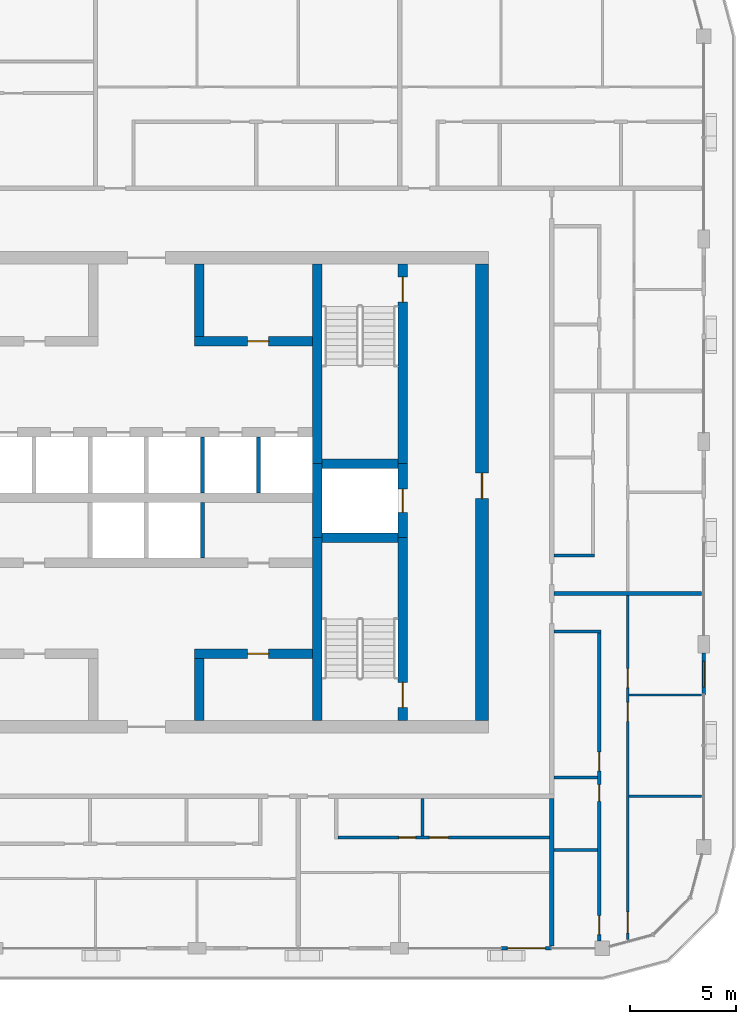
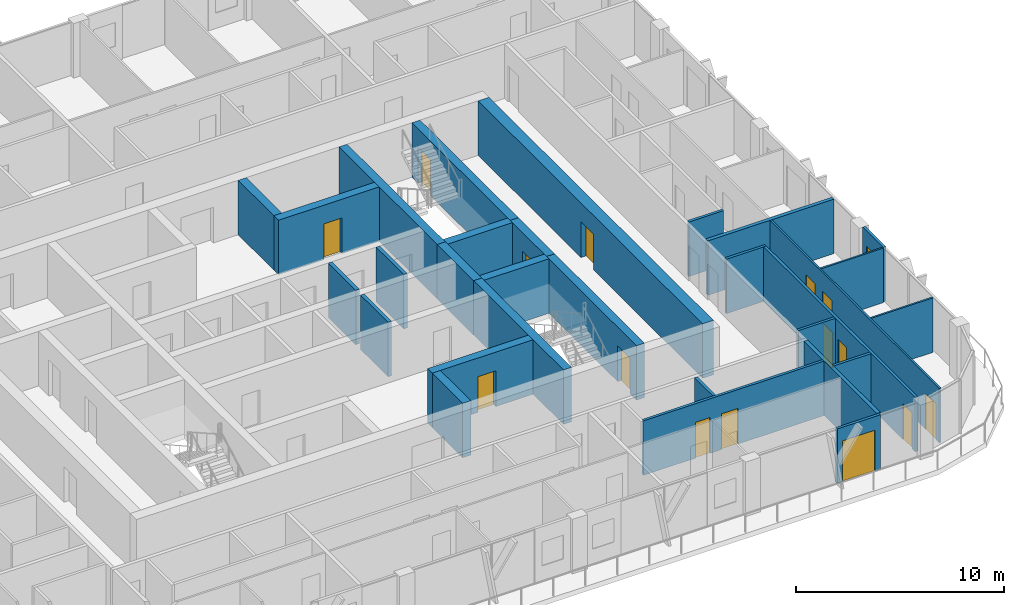
# One storey, part 12 of 21: 30 walls, 15 doors, 1 window, 16 openings.
"""IFC4 building model written with IfcOpenShell, lengths in metres."""

import ifcopenshell
import ifcopenshell.guid

model = None  # the IFC model being written
_history = None  # IfcOwnerHistory: only IFC2X3 demands one
_inside = {}  # id of a spatial element -> (the spatial element, [elements in it])
_under = {}  # id of a project, library or spatial element -> (it, [spatial elements below it])
_declared = {}  # id of a project -> (the project, [libraries it declares])
_typed = {}  # id of a type object -> (the type object, [elements of that type])
_made_of = {}  # id of a material, layer set ... -> (it, [elements and type objects made of it])


def new_model(schema):
    """Start an empty IFC model of exactly this schema.

    Asked for "IFC4X3", IfcOpenShell would pick the latest addendum, in which some entities
    have other attributes; the version numbers below select the first issue.
    IFC2X3 requires an IfcOwnerHistory on every rooted entity: one is made here for all.
    """
    global model, _history
    if schema == "IFC4X3":
        model = ifcopenshell.file(schema_version=(4, 3, 0, 0))
    else:
        model = ifcopenshell.file(schema=schema)
    _inside.clear()
    _under.clear()
    _declared.clear()
    _typed.clear()
    _made_of.clear()
    _history = None
    if model.schema == "IFC2X3":
        org = make("IfcOrganization", Name="unknown")
        user = make(
            "IfcPersonAndOrganization",
            ThePerson=make("IfcPerson", FamilyName="unknown"),
            TheOrganization=org,
        )
        app = make(
            "IfcApplication",
            ApplicationDeveloper=org,
            Version="unknown",
            ApplicationFullName="unknown",
            ApplicationIdentifier="unknown",
        )
        _history = make(
            "IfcOwnerHistory",
            OwningUser=user,
            OwningApplication=app,
            ChangeAction="ADDED",
            CreationDate=0,
        )
    return model


def make(cls, **values):
    """One entity of the class cls with the attributes given. An attribute that is None is left unset."""
    return model.create_entity(
        cls, **{name: value for name, value in values.items() if value is not None}
    )


def rooted(cls, **values):
    """An entity with a GlobalId (a new one), such as an element, a storey or a relation."""
    return make(cls, GlobalId=ifcopenshell.guid.new(), OwnerHistory=_history, **values)


def si_unit(unit_type, name, prefix=None):
    """IfcSIUnit, for example si_unit("LENGTHUNIT", "METRE", prefix="MILLI")."""
    return make("IfcSIUnit", UnitType=unit_type, Prefix=prefix, Name=name)


def assignment(units):
    """IfcUnitAssignment: the units of a project."""
    return None if units is None else make("IfcUnitAssignment", Units=units)


def point(xyz):
    """IfcCartesianPoint."""
    return None if xyz is None else make("IfcCartesianPoint", Coordinates=xyz)


def direction(xyz):
    """IfcDirection."""
    return None if xyz is None else make("IfcDirection", DirectionRatios=xyz)


def frame(location, z_axis=None, x_axis=None):
    """IfcAxis2Placement3D, a coordinate frame: its origin and axes. An axis left out is left unset."""
    return make(
        "IfcAxis2Placement3D",
        Location=point(location),
        Axis=direction(z_axis),
        RefDirection=direction(x_axis),
    )


def frame_2d(location, x_axis=None):
    """IfcAxis2Placement2D, a coordinate frame in the plane: its origin and x axis."""
    return make(
        "IfcAxis2Placement2D", Location=point(location), RefDirection=direction(x_axis)
    )


def origin():
    """The frame at (0, 0, 0) with its axes left unset."""
    return frame((0.0, 0.0, 0.0))


def place(relative_to, where):
    """IfcLocalPlacement: puts the frame where relative to a parent placement (None: the world)."""
    return make(
        "IfcLocalPlacement", PlacementRelTo=relative_to, RelativePlacement=where
    )


def context(
    kind, dimensions, precision=None, world=None, true_north=None, identifier=None
):
    """IfcGeometricRepresentationContext, for example the 3D "Model" context."""
    return make(
        "IfcGeometricRepresentationContext",
        ContextIdentifier=identifier,
        ContextType=kind,
        CoordinateSpaceDimension=dimensions,
        Precision=precision,
        WorldCoordinateSystem=world,
        TrueNorth=true_north,
    )


def subcontext(parent, identifier, kind, view, scale=None):
    """IfcGeometricRepresentationSubContext, for example "Body" below "Model"."""
    return make(
        "IfcGeometricRepresentationSubContext",
        ContextIdentifier=identifier,
        ContextType=kind,
        ParentContext=parent,
        TargetScale=scale,
        TargetView=view,
    )


def project(units=None, contexts=None):
    """IfcProject with its units and contexts."""
    return rooted(
        "IfcProject",
        Name="project",
        RepresentationContexts=contexts,
        UnitsInContext=assignment(units),
    )


def spatial(cls, under=None, at=None, **own):
    """A site, building, storey or space (cls), placed at a placement, below another one or the project."""
    s = rooted(cls, ObjectPlacement=at, **own)
    if under is not None:
        _under.setdefault(under.id(), (under, []))[1].append(s)
    return s


def profile(cls, at=None, kind="AREA", **sizes):
    """A parametric profile (cls). Its sizes go by their IFC names, for example OverallWidth=200.0."""
    return make(cls, ProfileType=kind, Position=at, **sizes)


def rectangle(**sizes):
    """IfcRectangleProfileDef."""
    return profile("IfcRectangleProfileDef", **sizes)


def extrude(swept, where, along, depth):
    """IfcExtrudedAreaSolid: the profile swept, set in the frame where, extruded along a direction by depth."""
    return make(
        "IfcExtrudedAreaSolid",
        SweptArea=swept,
        Position=where,
        ExtrudedDirection=direction(along),
        Depth=depth,
    )


def shape(context_of_items, identifier, shape_type, items):
    """IfcShapeRepresentation: the items that make up one representation, for example the "Body"."""
    return make(
        "IfcShapeRepresentation",
        ContextOfItems=context_of_items,
        RepresentationIdentifier=identifier,
        RepresentationType=shape_type,
        Items=items,
    )


def material(Name=None, Category=None):
    """IfcMaterial."""
    return make("IfcMaterial", Name=Name, Category=Category)


def layer(
    of_material, thickness, ventilated=None, Name=None, Category=None, Priority=None
):
    """IfcMaterialLayer: one layer of a wall or slab, of a material (None: an air gap)."""
    return make(
        "IfcMaterialLayer",
        Material=of_material,
        LayerThickness=thickness,
        IsVentilated=ventilated,
        Name=Name,
        Category=Category,
        Priority=Priority,
    )


def layer_set(layers, Name=None):
    """IfcMaterialLayerSet."""
    return make("IfcMaterialLayerSet", MaterialLayers=layers, LayerSetName=Name)


def made_of(thing, what):
    """Note that an element or type object is made of a material, layer set ...; save() writes the relation."""
    if what is not None:
        _made_of.setdefault(what.id(), (what, []))[1].append(thing)
    return thing


def type_object(cls, material=None, **own):
    """A type object (cls), such as IfcWallType, which elements share."""
    return made_of(rooted(cls, **own), material)


def element(
    cls,
    number,
    at=None,
    inside=None,
    cuts=None,
    type_object=None,
    material=None,
    context=None,
    identifier="Body",
    shape_type=None,
    held_by="IfcProductDefinitionShape",
    body=None,
    shapes=None,
    **own,
):
    """One element of the class cls, such as IfcWall. Its Tag is "e" and its number.

    at: its placement. inside: the storey or other place that contains it. cuts: it is an
    opening in that element (IfcRelVoidsElement). A single representation is given by context,
    identifier, shape_type and body (its items); several are given by shapes. held_by: the class
    of the entity that holds the representations. save() writes the other relations.
    """
    e = rooted(cls, Tag="e%d" % number, ObjectPlacement=at, **own)
    if body is not None:
        shapes = [shape(context, identifier, shape_type, body)]
    if shapes is not None:
        e.Representation = make(held_by, Representations=shapes)
    if inside is not None:
        _inside.setdefault(inside.id(), (inside, []))[1].append(e)
    if cuts is not None:
        rooted(
            "IfcRelVoidsElement", RelatingBuildingElement=cuts, RelatedOpeningElement=e
        )
    if type_object is not None:
        _typed.setdefault(type_object.id(), (type_object, []))[1].append(e)
    return made_of(e, material)


def fill(opening, filler):
    """IfcRelFillsElement: the door or window that sits in an opening."""
    return rooted(
        "IfcRelFillsElement",
        RelatingOpeningElement=opening,
        RelatedBuildingElement=filler,
    )


def aggregate(whole, parts):
    """IfcRelAggregates: a whole, such as a stair, and the parts it consists of."""
    return rooted("IfcRelAggregates", RelatingObject=whole, RelatedObjects=parts)


def save(model, path):
    """Write the relations noted so far, then the file.

    IfcRelAggregates (storeys below a building ...), IfcRelContainedInSpatialStructure (elements
    in a storey), IfcRelDefinesByType, IfcRelAssociatesMaterial and IfcRelDeclares: one each for
    every whole, place, type object, material and project.
    """
    for whole, parts in _under.values():
        aggregate(whole, parts)
    for where, things in _inside.values():
        rooted(
            "IfcRelContainedInSpatialStructure",
            RelatedElements=things,
            RelatingStructure=where,
        )
    for kind, things in _typed.values():
        rooted("IfcRelDefinesByType", RelatedObjects=things, RelatingType=kind)
    for what, things in _made_of.values():
        rooted("IfcRelAssociatesMaterial", RelatedObjects=things, RelatingMaterial=what)
    for by, libraries in _declared.values():
        rooted("IfcRelDeclares", RelatingContext=by, RelatedDefinitions=libraries)
    model.write(path)


model = new_model("IFC4")

# Units and contexts
model_context = context("Model", 3, precision=1e-05, world=origin(), true_north=direction((0.0, 1.0)))
body_context = subcontext(model_context, "Body", "Model", "MODEL_VIEW")
ifc_project = project(units=[si_unit("LENGTHUNIT", "METRE"), si_unit("AREAUNIT", "SQUARE_METRE"), si_unit("VOLUMEUNIT", "CUBIC_METRE"), si_unit("PLANEANGLEUNIT", "RADIAN"), si_unit("MASSUNIT", "GRAM", prefix="KILO")], contexts=[model_context])

# Site, building, storey
site_placement = place(None, origin())
site = spatial("IfcSite", under=ifc_project, at=site_placement, CompositionType="ELEMENT")
building_placement = place(site_placement, origin())
building = spatial("IfcBuilding", under=site, at=building_placement, Name="Madar Terraces", CompositionType="ELEMENT")
storey_placement = place(building_placement, frame((0.0, 0.0, 252.699951171875)))
storey = spatial("IfcBuildingStorey", under=building, at=storey_placement, Name="L66", CompositionType="ELEMENT", Elevation=252.699951171875)

# Walls
ifc_material_1 = material(Name="Concrete C55/67", Category="concrete")
ifc_layer_1 = layer(ifc_material_1, 0.449951171875)
ifc_layer_set_1 = layer_set([ifc_layer_1], Name="Concrete C55/67 (CIW5 RC wall 450)")
wall_type_1 = type_object("IfcWallType", Name="CIW5 RC wall 450", PredefinedType="SHEAR", material=ifc_layer_set_1)
wall_1_placement = place(storey_placement, frame((39.300048828125, 15.60009765625, 0.0), z_axis=(0.0, 0.0, 1.0), x_axis=(0.0, 1.0, 0.0)))
element("IfcWall", 1, at=wall_1_placement, inside=storey, type_object=wall_type_1, Name="CORE SHAFT WALL", PredefinedType="SHEAR", context=body_context, shape_type="SweptSolid", body=[
    extrude(rectangle(XDim=8.64990234375, YDim=0.449951171875, at=frame_2d((4.324951171875, 0.0))), origin(), (0.0, 0.0, 1.0), 3.199951171875),
])
wall_2_placement = place(storey_placement, frame((39.300048828125, 24.25, 0.0), z_axis=(0.0, 0.0, 1.0), x_axis=(0.0, 1.0, 0.0)))
element("IfcWall", 2, at=wall_2_placement, inside=storey, type_object=wall_type_1, Name="CORE SHAFT WALL", PredefinedType="SHEAR", context=body_context, shape_type="SweptSolid", body=[
    extrude(rectangle(XDim=3.5, YDim=0.449951171875, at=frame_2d((1.75, 0.0))), origin(), (0.0, 0.0, 1.0), 3.199951171875),
])
wall_3_placement = place(storey_placement, frame((39.300048828125, 27.75, 0.0), z_axis=(0.0, 0.0, 1.0), x_axis=(0.0, 1.0, 0.0)))
element("IfcWall", 3, at=wall_3_placement, inside=storey, type_object=wall_type_1, Name="CORE SHAFT WALL", PredefinedType="SHEAR", context=body_context, shape_type="SweptSolid", body=[
    extrude(rectangle(XDim=9.449951171875, YDim=0.449951171875, at=frame_2d((4.72509765625, 0.0))), origin(), (0.0, 0.0, 1.0), 3.199951171875),
])

# Wall, opening, door
wall_4_placement = place(storey_placement, frame((43.35009765625, 15.60009765625, 0.0), z_axis=(0.0, 0.0, 1.0), x_axis=(0.0, 1.0, 0.0)))
wall_4 = element("IfcWall", 4, at=wall_4_placement, inside=storey, type_object=wall_type_1, Name="CORE SHAFT WALL", PredefinedType="SHEAR", context=body_context, shape_type="SweptSolid", body=[
    extrude(rectangle(XDim=8.64990234375, YDim=0.449951171875, at=frame_2d((4.324951171875, 0.0))), origin(), (0.0, 0.0, 1.0), 3.199951171875),
])
opening_1_placement = place(wall_4_placement, frame((0.60009765625, 0.0, 0.0)))
opening_1 = element("IfcOpeningElement", 5, at=opening_1_placement, cuts=wall_4, Name="Opening SD1", PredefinedType="OPENING", context=body_context, shape_type="SweptSolid", body=[
    extrude(rectangle(XDim=1.199951171875, YDim=2.10009765625, at=frame_2d((0.60009765625, 1.050048828125))), frame((0.0, 0.23486328125, 0.0), z_axis=(0.0, -1.0, 0.0), x_axis=(1.0, 0.0, 0.0)), (0.0, 0.0, 1.0), 0.469970703125),
])
ifc_material_2 = material(Name="Steel door leaf", Category="steel")
door_type_1 = type_object("IfcDoorType", Name="Stair door 1200 x 2100", OperationType="NOTDEFINED", PredefinedType="DOOR", material=ifc_material_2)
door_1_placement = place(opening_1_placement, origin())
door_1 = element("IfcDoor", 6, at=door_1_placement, inside=storey, type_object=door_type_1, Name="STAIR DOOR", OperationType="SINGLE_SWING_LEFT", OverallHeight=2.10009765625, OverallWidth=1.199951171875, PredefinedType="DOOR", context=body_context, shape_type="SweptSolid", body=[
    extrude(rectangle(XDim=1.199951171875, YDim=2.10009765625, at=frame_2d((0.60009765625, 1.050048828125))), frame((0.0, 0.02490234375, 0.0), z_axis=(0.0, -1.0, 0.0), x_axis=(1.0, 0.0, 0.0)), (0.0, 0.0, 1.0), 0.050048828125),
])
fill(opening_1, door_1)

wall_5_placement = place(storey_placement, frame((43.35009765625, 24.25, 0.0), z_axis=(0.0, 0.0, 1.0), x_axis=(0.0, 1.0, 0.0)))
wall_5 = element("IfcWall", 7, at=wall_5_placement, inside=storey, type_object=wall_type_1, Name="CORE SHAFT WALL", PredefinedType="SHEAR", context=body_context, shape_type="SweptSolid", body=[
    extrude(rectangle(XDim=3.5, YDim=0.449951171875, at=frame_2d((1.75, 0.0))), origin(), (0.0, 0.0, 1.0), 3.199951171875),
])
opening_2_placement = place(wall_5_placement, frame((1.199951171875, 0.0, 0.0)))
opening_2 = element("IfcOpeningElement", 8, at=opening_2_placement, cuts=wall_5, Name="Opening LD", PredefinedType="OPENING", context=body_context, shape_type="SweptSolid", body=[
    extrude(rectangle(XDim=1.10009765625, YDim=2.10009765625, at=frame_2d((0.550048828125, 1.050048828125))), frame((0.0, 0.23486328125, 0.0), z_axis=(0.0, -1.0, 0.0), x_axis=(1.0, 0.0, 0.0)), (0.0, 0.0, 1.0), 0.469970703125),
])
ifc_material_3 = material(Name="Stainless steel panel", Category="steel")
door_type_2 = type_object("IfcDoorType", Name="Lift landing door 1100 x 2100", OperationType="DOUBLE_DOOR_SLIDING", PredefinedType="DOOR", material=ifc_material_3)
door_2_placement = place(opening_2_placement, origin())
door_2 = element("IfcDoor", 9, at=door_2_placement, inside=storey, type_object=door_type_2, Name="LIFT LANDING DOOR", OperationType="DOUBLE_DOOR_SLIDING", OverallHeight=2.10009765625, OverallWidth=1.10009765625, PredefinedType="DOOR", context=body_context, shape_type="SweptSolid", body=[
    extrude(rectangle(XDim=1.10009765625, YDim=2.10009765625, at=frame_2d((0.550048828125, 1.050048828125))), frame((0.0, 0.02490234375, 0.0), z_axis=(0.0, -1.0, 0.0), x_axis=(1.0, 0.0, 0.0)), (0.0, 0.0, 1.0), 0.050048828125),
])
fill(opening_2, door_2)

wall_6_placement = place(storey_placement, frame((43.35009765625, 27.75, 0.0), z_axis=(0.0, 0.0, 1.0), x_axis=(0.0, 1.0, 0.0)))
wall_6 = element("IfcWall", 10, at=wall_6_placement, inside=storey, type_object=wall_type_1, Name="CORE SHAFT WALL", PredefinedType="SHEAR", context=body_context, shape_type="SweptSolid", body=[
    extrude(rectangle(XDim=9.449951171875, YDim=0.449951171875, at=frame_2d((4.72509765625, 0.0))), origin(), (0.0, 0.0, 1.0), 3.199951171875),
])
opening_3_placement = place(wall_6_placement, frame((7.64990234375, 0.0, 0.0)))
opening_3 = element("IfcOpeningElement", 11, at=opening_3_placement, cuts=wall_6, Name="Opening SD1", PredefinedType="OPENING", context=body_context, shape_type="SweptSolid", body=[
    extrude(rectangle(XDim=1.199951171875, YDim=2.10009765625, at=frame_2d((0.60009765625, 1.050048828125))), frame((0.0, 0.23486328125, 0.0), z_axis=(0.0, -1.0, 0.0), x_axis=(1.0, 0.0, 0.0)), (0.0, 0.0, 1.0), 0.469970703125),
])
door_3_placement = place(opening_3_placement, origin())
door_3 = element("IfcDoor", 12, at=door_3_placement, inside=storey, type_object=door_type_1, Name="STAIR DOOR", OperationType="SINGLE_SWING_RIGHT", OverallHeight=2.10009765625, OverallWidth=1.199951171875, PredefinedType="DOOR", context=body_context, shape_type="SweptSolid", body=[
    extrude(rectangle(XDim=1.199951171875, YDim=2.10009765625, at=frame_2d((0.60009765625, 1.050048828125))), frame((0.0, 0.02490234375, 0.0), z_axis=(0.0, -1.0, 0.0), x_axis=(1.0, 0.0, 0.0)), (0.0, 0.0, 1.0), 0.050048828125),
])
fill(opening_3, door_3)

# Walls
for number, where, z_axis, x_axis, name in (
    (13, (39.52490234375, 24.25, 0.0), (0.0, 0.0, 1.0), (1.0, 0.0, 0.0), "CORE SHAFT WALL"),
    (14, (39.52490234375, 27.75, 0.0), (0.0, 0.0, 1.0), (1.0, 0.0, 0.0), "CORE SHAFT WALL"),
):
    element("IfcWall", number, at=place(storey_placement, frame(where, z_axis=z_axis, x_axis=x_axis)), inside=storey, type_object=wall_type_1, Name=name, PredefinedType="SHEAR", context=body_context, shape_type="SweptSolid", body=[
        extrude(rectangle(XDim=3.60009765625, YDim=0.449951171875, at=frame_2d((1.800048828125, 0.0))), origin(), (0.0, 0.0, 1.0), 3.199951171875),
    ])

# Wall, opening, door
wall_7_placement = place(storey_placement, frame((33.47509765625, 18.75, 0.0), z_axis=(0.0, 0.0, 1.0), x_axis=(1.0, 0.0, 0.0)))
wall_7 = element("IfcWall", 15, at=wall_7_placement, inside=storey, type_object=wall_type_1, Name="CORE SHAFT WALL", PredefinedType="SHEAR", context=body_context, shape_type="SweptSolid", body=[
    extrude(rectangle(XDim=5.599853515625, YDim=0.449951171875, at=frame_2d((2.7998046875, 0.0))), origin(), (0.0, 0.0, 1.0), 3.199951171875),
])
opening_4_placement = place(wall_7_placement, frame((2.52490234375, 0.0, 0.0)))
opening_4 = element("IfcOpeningElement", 16, at=opening_4_placement, cuts=wall_7, Name="Opening KD2", PredefinedType="OPENING", context=body_context, shape_type="SweptSolid", body=[
    extrude(rectangle(XDim=1.0, YDim=2.10009765625, at=frame_2d((0.5, 1.050048828125))), frame((0.0, 0.23486328125, 0.0), z_axis=(0.0, -1.0, 0.0), x_axis=(1.0, 0.0, 0.0)), (0.0, 0.0, 1.0), 0.469970703125),
])
ifc_material_4 = material(Name="Steel door leaf", Category="steel")
door_type_3 = type_object("IfcDoorType", Name="Service room door 1000 x 2100", OperationType="NOTDEFINED", PredefinedType="DOOR", material=ifc_material_4)
door_4_placement = place(opening_4_placement, origin())
door_4 = element("IfcDoor", 17, at=door_4_placement, inside=storey, type_object=door_type_3, Name="SERVICE ROOM DOOR", OperationType="SINGLE_SWING_RIGHT", OverallHeight=2.10009765625, OverallWidth=1.0, PredefinedType="DOOR", context=body_context, shape_type="SweptSolid", body=[
    extrude(rectangle(XDim=1.0, YDim=2.10009765625, at=frame_2d((0.5, 1.050048828125))), frame((0.0, 0.02490234375, 0.0), z_axis=(0.0, -1.0, 0.0), x_axis=(1.0, 0.0, 0.0)), (0.0, 0.0, 1.0), 0.050048828125),
])
fill(opening_4, door_4)

wall_8_placement = place(storey_placement, frame((33.47509765625, 33.550048828125, 0.0), z_axis=(0.0, 0.0, 1.0), x_axis=(1.0, 0.0, 0.0)))
wall_8 = element("IfcWall", 18, at=wall_8_placement, inside=storey, type_object=wall_type_1, Name="CORE SHAFT WALL", PredefinedType="SHEAR", context=body_context, shape_type="SweptSolid", body=[
    extrude(rectangle(XDim=5.599853515625, YDim=0.449951171875, at=frame_2d((2.7998046875, 0.0))), origin(), (0.0, 0.0, 1.0), 3.199951171875),
])
opening_5_placement = place(wall_8_placement, frame((2.52490234375, 0.0, 0.0)))
opening_5 = element("IfcOpeningElement", 19, at=opening_5_placement, cuts=wall_8, Name="Opening KD2", PredefinedType="OPENING", context=body_context, shape_type="SweptSolid", body=[
    extrude(rectangle(XDim=1.0, YDim=2.10009765625, at=frame_2d((0.5, 1.050048828125))), frame((0.0, 0.23486328125, 0.0), z_axis=(0.0, -1.0, 0.0), x_axis=(1.0, 0.0, 0.0)), (0.0, 0.0, 1.0), 0.469970703125),
])
door_5_placement = place(opening_5_placement, frame((1.0, 0.0, 0.0), z_axis=(0.0, 0.0, 1.0), x_axis=(-1.0, 0.0, 0.0)))
door_5 = element("IfcDoor", 20, at=door_5_placement, inside=storey, type_object=door_type_3, Name="SERVICE ROOM DOOR", OperationType="SINGLE_SWING_RIGHT", OverallHeight=2.10009765625, OverallWidth=1.0, PredefinedType="DOOR", context=body_context, shape_type="SweptSolid", body=[
    extrude(rectangle(XDim=1.0, YDim=2.10009765625, at=frame_2d((0.5, 1.050048828125))), frame((0.0, 0.02490234375, 0.0), z_axis=(0.0, -1.0, 0.0), x_axis=(1.0, 0.0, 0.0)), (0.0, 0.0, 1.0), 0.050048828125),
])
fill(opening_5, door_5)

# Walls
wall_9_placement = place(storey_placement, frame((33.699951171875, 15.60009765625, 0.0), z_axis=(0.0, 0.0, 1.0), x_axis=(0.0, 1.0, 0.0)))
element("IfcWall", 21, at=wall_9_placement, inside=storey, type_object=wall_type_1, Name="CORE SHAFT WALL", PredefinedType="SHEAR", context=body_context, shape_type="SweptSolid", body=[
    extrude(rectangle(XDim=2.9248046875, YDim=0.449951171875, at=frame_2d((1.46240234375, 0.0))), origin(), (0.0, 0.0, 1.0), 3.199951171875),
])
wall_10_placement = place(storey_placement, frame((33.699951171875, 33.77490234375, 0.0), z_axis=(0.0, 0.0, 1.0), x_axis=(0.0, 1.0, 0.0)))
element("IfcWall", 22, at=wall_10_placement, inside=storey, type_object=wall_type_1, Name="CORE SHAFT WALL", PredefinedType="SHEAR", context=body_context, shape_type="SweptSolid", body=[
    extrude(rectangle(XDim=3.425048828125, YDim=0.449951171875, at=frame_2d((1.71240234375, 0.0))), origin(), (0.0, 0.0, 1.0), 3.199951171875),
])

# Wall, opening, door
ifc_material_5 = material(Name="Concrete C55/67", Category="concrete")
ifc_layer_2 = layer(ifc_material_5, 0.60009765625)
ifc_layer_set_2 = layer_set([ifc_layer_2], Name="Concrete C55/67 (CRW5 RC wall 600)")
wall_type_2 = type_object("IfcWallType", Name="CRW5 RC wall 600", PredefinedType="SHEAR", material=ifc_layer_set_2)
wall_11_placement = place(storey_placement, frame((47.10009765625, 15.60009765625, 0.0), z_axis=(0.0, 0.0, 1.0), x_axis=(0.0, 1.0, 0.0)))
wall_11 = element("IfcWall", 23, at=wall_11_placement, inside=storey, type_object=wall_type_2, Name="CORE OUTER WALL", PredefinedType="SHEAR", context=body_context, shape_type="SweptSolid", body=[
    extrude(rectangle(XDim=21.599853515625, YDim=0.60009765625, at=frame_2d((10.7998046875, 0.0))), origin(), (0.0, 0.0, 1.0), 3.199951171875),
])
opening_6_placement = place(wall_11_placement, frame((10.5, 0.0, 0.0)))
opening_6 = element("IfcOpeningElement", 24, at=opening_6_placement, cuts=wall_11, Name="Opening SD1", PredefinedType="OPENING", context=body_context, shape_type="SweptSolid", body=[
    extrude(rectangle(XDim=1.199951171875, YDim=2.10009765625, at=frame_2d((0.60009765625, 1.050048828125))), frame((0.0, 0.31005859375, 0.0), z_axis=(0.0, -1.0, 0.0), x_axis=(1.0, 0.0, 0.0)), (0.0, 0.0, 1.0), 0.6201171875),
])
door_6_placement = place(opening_6_placement, origin())
door_6 = element("IfcDoor", 25, at=door_6_placement, inside=storey, type_object=door_type_1, Name="STAIR DOOR", OperationType="SINGLE_SWING_RIGHT", OverallHeight=2.10009765625, OverallWidth=1.199951171875, PredefinedType="DOOR", context=body_context, shape_type="SweptSolid", body=[
    extrude(rectangle(XDim=1.199951171875, YDim=2.10009765625, at=frame_2d((0.60009765625, 1.050048828125))), frame((0.0, 0.02490234375, 0.0), z_axis=(0.0, -1.0, 0.0), x_axis=(1.0, 0.0, 0.0)), (0.0, 0.0, 1.0), 0.050048828125),
])
fill(opening_6, door_6)

# Walls
ifc_material_6 = material(Name="Concrete C40/50", Category="concrete")
ifc_layer_3 = layer(ifc_material_6, 0.199951171875)
ifc_layer_set_3 = layer_set([ifc_layer_3], Name="Core shaft dividing wall 200 C40/50")
wall_type_3 = type_object("IfcWallType", Name="Core shaft dividing wall 200 C40/50", PredefinedType="SOLIDWALL", material=ifc_layer_set_3)
wall_12_placement = place(storey_placement, frame((33.8583984375, 23.27490234375, 0.0), z_axis=(0.0, 0.0, 1.0), x_axis=(0.0, 1.0, 0.0)))
element("IfcWall", 26, at=wall_12_placement, inside=storey, type_object=wall_type_3, Name="SHAFT DIVIDING WALL", PredefinedType="SOLIDWALL", context=body_context, shape_type="SweptSolid", body=[
    extrude(rectangle(XDim=2.650146484375, YDim=0.199951171875, at=frame_2d((1.3251953125, 0.0))), origin(), (0.0, 0.0, 1.0), 3.199951171875),
])
for number, where, z_axis, x_axis, name in (
    (27, (33.8583984375, 26.375, 0.0), (0.0, 0.0, 1.0), (0.0, 1.0, 0.0), "SHAFT DIVIDING WALL"),
    (28, (36.5166015625, 26.375, 0.0), (0.0, 0.0, 1.0), (0.0, 1.0, 0.0), "SHAFT DIVIDING WALL"),
):
    element("IfcWall", number, at=place(storey_placement, frame(where, z_axis=z_axis, x_axis=x_axis)), inside=storey, type_object=wall_type_3, Name=name, PredefinedType="SOLIDWALL", context=body_context, shape_type="SweptSolid", body=[
        extrude(rectangle(XDim=2.64990234375, YDim=0.199951171875, at=frame_2d((1.324951171875, 0.0))), origin(), (0.0, 0.0, 1.0), 3.199951171875),
    ])

# Wall, opening, door
ifc_material_7 = material(Name="Aluminium composite panel, black, over insulated backing", Category="aluminium")
ifc_layer_4 = layer(ifc_material_7, 0.14990234375)
ifc_layer_set_4 = layer_set([ifc_layer_4], Name="Facade bay panel 150")
wall_type_4 = type_object("IfcWallType", Name="Facade bay panel 150", PredefinedType="SOLIDWALL", material=ifc_layer_set_4)
wall_13_placement = place(storey_placement, frame((48.0, 4.800048828125, 0.0), z_axis=(0.0, 0.0, 1.0), x_axis=(1.0, 0.0, 0.0)))
wall_13 = element("IfcWall", 29, at=wall_13_placement, inside=storey, type_object=wall_type_4, Name="Facade bay panel", PredefinedType="SOLIDWALL", context=body_context, shape_type="SweptSolid", body=[
    extrude(rectangle(XDim=2.39990234375, YDim=0.14990234375, at=frame_2d((1.199951171875, 0.0))), origin(), (0.0, 0.0, 1.0), 3.199951171875),
])
opening_7_placement = place(wall_13_placement, frame((0.300048828125, 0.0, 0.0)))
opening_7 = element("IfcOpeningElement", 30, at=opening_7_placement, cuts=wall_13, Name="Opening ED1", PredefinedType="OPENING", context=body_context, shape_type="SweptSolid", body=[
    extrude(rectangle(XDim=1.800048828125, YDim=2.39990234375, at=frame_2d((0.89990234375, 1.199951171875))), frame((0.0, 0.0849609375, 0.0), z_axis=(0.0, -1.0, 0.0), x_axis=(1.0, 0.0, 0.0)), (0.0, 0.0, 1.0), 0.169921875),
])
ifc_material_8 = material(Name="Glass, clear, with black aluminium frame", Category="aluminium")
door_type_4 = type_object("IfcDoorType", Name="Balcony and terrace sliding door 1800 x 2400", OperationType="SLIDING_TO_LEFT", PredefinedType="DOOR", material=ifc_material_8)
door_7_placement = place(opening_7_placement, origin())
door_7 = element("IfcDoor", 31, at=door_7_placement, inside=storey, type_object=door_type_4, Name="Balcony door", OperationType="SLIDING_TO_RIGHT", OverallHeight=2.39990234375, OverallWidth=1.800048828125, PredefinedType="DOOR", context=body_context, shape_type="SweptSolid", body=[
    extrude(rectangle(XDim=1.800048828125, YDim=2.39990234375, at=frame_2d((0.89990234375, 1.199951171875))), frame((0.0, 0.02490234375, 0.0), z_axis=(0.0, -1.0, 0.0), x_axis=(1.0, 0.0, 0.0)), (0.0, 0.0, 1.0), 0.050048828125),
])
fill(opening_7, door_7)

# Wall, opening, window
wall_14_placement = place(storey_placement, frame((57.60009765625, 16.800048828125, 0.0), z_axis=(0.0, 0.0, 1.0), x_axis=(0.0, 1.0, 0.0)))
wall_14 = element("IfcWall", 32, at=wall_14_placement, inside=storey, type_object=wall_type_4, Name="Facade bay panel", PredefinedType="SOLIDWALL", context=body_context, shape_type="SweptSolid", body=[
    extrude(rectangle(XDim=1.974853515625, YDim=0.14990234375, at=frame_2d((0.9873046875, 0.0))), origin(), (0.0, 0.0, 1.0), 3.199951171875),
])
opening_8_placement = place(wall_14_placement, frame((0.387451171875, 0.0, 0.89990234375)))
opening_8 = element("IfcOpeningElement", 33, at=opening_8_placement, cuts=wall_14, Name="Opening W1", PredefinedType="OPENING", context=body_context, shape_type="SweptSolid", body=[
    extrude(rectangle(XDim=1.199951171875, YDim=1.39990234375, at=frame_2d((0.60009765625, 0.699951171875))), frame((0.0, 0.0849609375, 0.0), z_axis=(0.0, -1.0, 0.0), x_axis=(1.0, 0.0, 0.0)), (0.0, 0.0, 1.0), 0.169921875),
])
ifc_material_9 = material(Name="Glass, clear, with black aluminium frame", Category="aluminium")
window_type = type_object("IfcWindowType", Name="Vent window 1200 x 1400", PartitioningType="SINGLE_PANEL", PredefinedType="WINDOW", material=ifc_material_9)
window_placement = place(opening_8_placement, origin())
window = element("IfcWindow", 34, at=window_placement, inside=storey, type_object=window_type, Name="Operable vent window", OverallHeight=1.39990234375, OverallWidth=1.199951171875, PartitioningType="SINGLE_PANEL", PredefinedType="WINDOW", context=body_context, shape_type="SweptSolid", body=[
    extrude(rectangle(XDim=1.199951171875, YDim=1.39990234375, at=frame_2d((0.60009765625, 0.699951171875))), frame((0.0, 0.030029296875, 0.0), z_axis=(0.0, -1.0, 0.0), x_axis=(1.0, 0.0, 0.0)), (0.0, 0.0, 1.0), 0.06005859375),
])
fill(opening_8, window)

# Walls
ifc_material_10 = material(Name="Gypsum board on steel studs", Category="steel")
ifc_layer_5 = layer(ifc_material_10, 0.10009765625)
ifc_layer_set_5 = layer_set([ifc_layer_5], Name="Flat partition 100")
wall_type_5 = type_object("IfcWallType", Name="Flat partition 100", PredefinedType="PARTITIONING", material=ifc_layer_set_5)
for number, where, z_axis, x_axis, name in (
    (35, (54.050048828125, 16.800048828125, 0.0), (0.0, 0.0, 1.0), (1.0, 0.0, 0.0), "Flat partition 100"),
    (36, (54.050048828125, 12.0, 0.0), (0.0, 0.0, 1.0), (1.0, 0.0, 0.0), "Flat partition 100"),
):
    element("IfcWall", number, at=place(storey_placement, frame(where, z_axis=z_axis, x_axis=x_axis)), inside=storey, type_object=wall_type_5, Name=name, PredefinedType="PARTITIONING", context=body_context, shape_type="SweptSolid", body=[
        extrude(rectangle(XDim=3.449951171875, YDim=0.10009765625, at=frame_2d((1.72509765625, 0.0))), origin(), (0.0, 0.0, 1.0), 3.199951171875),
    ])

# Wall, openings, doors
wall_15_placement = place(storey_placement, frame((54.0, 21.5, 0.0), z_axis=(0.0, 0.0, 1.0), x_axis=(0.0, -1.0, 0.0)))
wall_15 = element("IfcWall", 37, at=wall_15_placement, inside=storey, type_object=wall_type_5, Name="Flat partition 100", PredefinedType="PARTITIONING", context=body_context, shape_type="SweptSolid", body=[
    extrude(rectangle(XDim=16.278564453125, YDim=0.10009765625, at=frame_2d((8.13916015625, 0.0))), origin(), (0.0, 0.0, 1.0), 3.199951171875),
])
opening_9_placement = place(wall_15_placement, frame((3.449951171875, 0.0, 0.0)))
opening_9 = element("IfcOpeningElement", 38, at=opening_9_placement, cuts=wall_15, Name="Opening D2", PredefinedType="OPENING", context=body_context, shape_type="SweptSolid", body=[
    extrude(rectangle(XDim=0.89990234375, YDim=2.10009765625, at=frame_2d((0.449951171875, 1.050048828125))), frame((0.0, 0.06005859375, 0.0), z_axis=(0.0, -1.0, 0.0), x_axis=(1.0, 0.0, 0.0)), (0.0, 0.0, 1.0), 0.1201171875),
])
opening_10_placement = place(wall_15_placement, frame((5.050048828125, 0.0, 0.0)))
opening_10 = element("IfcOpeningElement", 39, at=opening_10_placement, cuts=wall_15, Name="Opening D2", PredefinedType="OPENING", context=body_context, shape_type="SweptSolid", body=[
    extrude(rectangle(XDim=0.89990234375, YDim=2.10009765625, at=frame_2d((0.449951171875, 1.050048828125))), frame((0.0, 0.06005859375, 0.0), z_axis=(0.0, -1.0, 0.0), x_axis=(1.0, 0.0, 0.0)), (0.0, 0.0, 1.0), 0.1201171875),
])
opening_11_placement = place(wall_15_placement, frame((14.978515625, 0.0, 0.0)))
opening_11 = element("IfcOpeningElement", 40, at=opening_11_placement, cuts=wall_15, Name="Opening D3", PredefinedType="OPENING", context=body_context, shape_type="SweptSolid", body=[
    extrude(rectangle(XDim=1.0, YDim=2.10009765625, at=frame_2d((0.5, 1.050048828125))), frame((0.0, 0.06005859375, 0.0), z_axis=(0.0, -1.0, 0.0), x_axis=(1.0, 0.0, 0.0)), (0.0, 0.0, 1.0), 0.1201171875),
])
ifc_material_11 = material(Name="Timber door leaf", Category="wood")
door_type_5 = type_object("IfcDoorType", Name="Flat living room door 1000", OperationType="NOTDEFINED", PredefinedType="DOOR", material=ifc_material_11)
door_8_placement = place(opening_11_placement, origin())
door_8 = element("IfcDoor", 41, at=door_8_placement, inside=storey, type_object=door_type_5, Name="Flat living room door 1000", OperationType="SINGLE_SWING_RIGHT", OverallHeight=2.10009765625, OverallWidth=1.0, PredefinedType="DOOR", context=body_context, shape_type="SweptSolid", body=[
    extrude(rectangle(XDim=1.0, YDim=2.10009765625, at=frame_2d((0.5, 1.050048828125))), frame((0.0, 0.02490234375, 0.0), z_axis=(0.0, -1.0, 0.0), x_axis=(1.0, 0.0, 0.0)), (0.0, 0.0, 1.0), 0.050048828125),
])
fill(opening_11, door_8)
ifc_material_12 = material(Name="Timber door leaf", Category="wood")
door_type_6 = type_object("IfcDoorType", Name="Flat room door 900", OperationType="NOTDEFINED", PredefinedType="DOOR", material=ifc_material_12)
door_9_placement = place(opening_9_placement, origin())
door_9 = element("IfcDoor", 42, at=door_9_placement, inside=storey, type_object=door_type_6, Name="Flat room door 900", OperationType="SINGLE_SWING_RIGHT", OverallHeight=2.10009765625, OverallWidth=0.89990234375, PredefinedType="DOOR", context=body_context, shape_type="SweptSolid", body=[
    extrude(rectangle(XDim=0.89990234375, YDim=2.10009765625, at=frame_2d((0.449951171875, 1.050048828125))), frame((0.0, 0.02490234375, 0.0), z_axis=(0.0, -1.0, 0.0), x_axis=(1.0, 0.0, 0.0)), (0.0, 0.0, 1.0), 0.050048828125),
])
fill(opening_9, door_9)
door_10_placement = place(opening_10_placement, origin())
door_10 = element("IfcDoor", 43, at=door_10_placement, inside=storey, type_object=door_type_6, Name="Flat room door 900", OperationType="SINGLE_SWING_LEFT", OverallHeight=2.10009765625, OverallWidth=0.89990234375, PredefinedType="DOOR", context=body_context, shape_type="SweptSolid", body=[
    extrude(rectangle(XDim=0.89990234375, YDim=2.10009765625, at=frame_2d((0.449951171875, 1.050048828125))), frame((0.0, 0.02490234375, 0.0), z_axis=(0.0, -1.0, 0.0), x_axis=(1.0, 0.0, 0.0)), (0.0, 0.0, 1.0), 0.050048828125),
])
fill(opening_10, door_10)

# Walls
ifc_material_13 = material(Name="Lightweight blockwork", Category="masonry")
ifc_layer_6 = layer(ifc_material_13, 0.199951171875)
ifc_layer_set_6 = layer_set([ifc_layer_6], Name="Flat party and entrance wall 200")
wall_type_6 = type_object("IfcWallType", Name="Flat party and entrance wall 200", PredefinedType="PARTITIONING", material=ifc_layer_set_6)
for number, where, z_axis, x_axis, name in (
    (44, (50.39990234375, 11.89990234375, 0.0), (0.0, 0.0, 1.0), (0.0, -1.0, 0.0), "Flat party and entrance wall 200"),
    (45, (50.5, 21.60009765625, 0.0), (0.0, 0.0, 1.0), (1.0, 0.0, 0.0), "Flat party and entrance wall 200"),
):
    element("IfcWall", number, at=place(storey_placement, frame(where, z_axis=z_axis, x_axis=x_axis)), inside=storey, type_object=wall_type_6, Name=name, PredefinedType="PARTITIONING", context=body_context, shape_type="SweptSolid", body=[
        extrude(rectangle(XDim=7.0, YDim=0.199951171875, at=frame_2d((3.5, 0.0))), origin(), (0.0, 0.0, 1.0), 3.199951171875),
    ])
ifc_material_14 = material(Name="Lightweight blockwork", Category="masonry")
ifc_layer_7 = layer(ifc_material_14, 0.14990234375)
ifc_layer_set_7 = layer_set([ifc_layer_7], Name="Flat wet-room partition 150")
wall_type_7 = type_object("IfcWallType", Name="Flat wet-room partition 150", PredefinedType="PARTITIONING", material=ifc_layer_set_7)
wall_16_placement = place(storey_placement, frame((44.284912109375, 11.89990234375, 0.0), z_axis=(0.0, 0.0, 1.0), x_axis=(0.0, -1.0, 0.0)))
element("IfcWall", 46, at=wall_16_placement, inside=storey, type_object=wall_type_7, Name="Flat wet-room partition 150", PredefinedType="PARTITIONING", context=body_context, shape_type="SweptSolid", body=[
    extrude(rectangle(XDim=1.77490234375, YDim=0.14990234375, at=frame_2d((0.887451171875, 0.0))), origin(), (0.0, 0.0, 1.0), 3.199951171875),
])

# Wall, openings, doors
wall_17_placement = place(storey_placement, frame((40.27490234375, 10.050048828125, 0.0), z_axis=(0.0, 0.0, 1.0), x_axis=(1.0, 0.0, 0.0)))
wall_17 = element("IfcWall", 47, at=wall_17_placement, inside=storey, type_object=wall_type_7, Name="Flat wet-room partition 150", PredefinedType="PARTITIONING", context=body_context, shape_type="SweptSolid", body=[
    extrude(rectangle(XDim=10.025146484375, YDim=0.14990234375, at=frame_2d((5.0126953125, 0.0))), origin(), (0.0, 0.0, 1.0), 3.199951171875),
])
opening_12_placement = place(wall_17_placement, frame((2.885009765625, 0.0, 0.0)))
opening_12 = element("IfcOpeningElement", 48, at=opening_12_placement, cuts=wall_17, Name="Opening D4", PredefinedType="OPENING", context=body_context, shape_type="SweptSolid", body=[
    extrude(rectangle(XDim=0.800048828125, YDim=2.10009765625, at=frame_2d((0.39990234375, 1.050048828125))), frame((0.0, 0.0849609375, 0.0), z_axis=(0.0, -1.0, 0.0), x_axis=(1.0, 0.0, 0.0)), (0.0, 0.0, 1.0), 0.169921875),
])
opening_13_placement = place(wall_17_placement, frame((4.3349609375, 0.0, 0.0)))
opening_13 = element("IfcOpeningElement", 49, at=opening_13_placement, cuts=wall_17, Name="Opening D2", PredefinedType="OPENING", context=body_context, shape_type="SweptSolid", body=[
    extrude(rectangle(XDim=0.89990234375, YDim=2.10009765625, at=frame_2d((0.449951171875, 1.050048828125))), frame((0.0, 0.0849609375, 0.0), z_axis=(0.0, -1.0, 0.0), x_axis=(1.0, 0.0, 0.0)), (0.0, 0.0, 1.0), 0.169921875),
])
ifc_material_15 = material(Name="Timber door leaf", Category="wood")
door_type_7 = type_object("IfcDoorType", Name="Flat bathroom door 800", OperationType="NOTDEFINED", PredefinedType="DOOR", material=ifc_material_15)
door_11_placement = place(opening_12_placement, origin())
door_11 = element("IfcDoor", 50, at=door_11_placement, inside=storey, type_object=door_type_7, Name="Flat bathroom door 800", OperationType="SINGLE_SWING_RIGHT", OverallHeight=2.10009765625, OverallWidth=0.800048828125, PredefinedType="DOOR", context=body_context, shape_type="SweptSolid", body=[
    extrude(rectangle(XDim=0.800048828125, YDim=2.10009765625, at=frame_2d((0.39990234375, 1.050048828125))), frame((0.0, 0.02490234375, 0.0), z_axis=(0.0, -1.0, 0.0), x_axis=(1.0, 0.0, 0.0)), (0.0, 0.0, 1.0), 0.050048828125),
])
fill(opening_12, door_11)
door_12_placement = place(opening_13_placement, origin())
door_12 = element("IfcDoor", 51, at=door_12_placement, inside=storey, type_object=door_type_6, Name="Flat room door 900", OperationType="SINGLE_SWING_LEFT", OverallHeight=2.10009765625, OverallWidth=0.89990234375, PredefinedType="DOOR", context=body_context, shape_type="SweptSolid", body=[
    extrude(rectangle(XDim=0.89990234375, YDim=2.10009765625, at=frame_2d((0.449951171875, 1.050048828125))), frame((0.0, 0.02490234375, 0.0), z_axis=(0.0, -1.0, 0.0), x_axis=(1.0, 0.0, 0.0)), (0.0, 0.0, 1.0), 0.050048828125),
])
fill(opening_13, door_12)

# Walls
for number, where, z_axis, x_axis, name in (
    (52, (50.5, 12.8828125, 0.0), (0.0, 0.0, 1.0), (1.0, 0.0, 0.0), "Flat wet-room partition 150"),
    (53, (50.5, 9.46142578125, 0.0), (0.0, 0.0, 1.0), (1.0, 0.0, 0.0), "Flat wet-room partition 150"),
):
    element("IfcWall", number, at=place(storey_placement, frame(where, z_axis=z_axis, x_axis=x_axis)), inside=storey, type_object=wall_type_7, Name=name, PredefinedType="PARTITIONING", context=body_context, shape_type="SweptSolid", body=[
        extrude(rectangle(XDim=2.074951171875, YDim=0.14990234375, at=frame_2d((1.03759765625, 0.0))), origin(), (0.0, 0.0, 1.0), 3.199951171875),
    ])
wall_18_placement = place(storey_placement, frame((50.5, 19.800048828125, 0.0), z_axis=(0.0, 0.0, 1.0), x_axis=(1.0, 0.0, 0.0)))
element("IfcWall", 54, at=wall_18_placement, inside=storey, type_object=wall_type_7, Name="Flat wet-room partition 150", PredefinedType="PARTITIONING", context=body_context, shape_type="SweptSolid", body=[
    extrude(rectangle(XDim=2.22509765625, YDim=0.14990234375, at=frame_2d((1.112548828125, 0.0))), origin(), (0.0, 0.0, 1.0), 3.199951171875),
])

# Wall, openings, doors
wall_19_placement = place(storey_placement, frame((52.64990234375, 5.14990234375, 0.0), z_axis=(0.0, 0.0, 1.0), x_axis=(0.0, 1.0, 0.0)))
wall_19 = element("IfcWall", 55, at=wall_19_placement, inside=storey, type_object=wall_type_7, Name="Flat wet-room partition 150", PredefinedType="PARTITIONING", context=body_context, shape_type="SweptSolid", body=[
    extrude(rectangle(XDim=14.5751953125, YDim=0.14990234375, at=frame_2d((7.28759765625, 0.0))), origin(), (0.0, 0.0, 1.0), 3.199951171875),
])
opening_14_placement = place(wall_19_placement, frame((8.0576171875, 0.0, 0.0)))
opening_14 = element("IfcOpeningElement", 56, at=opening_14_placement, cuts=wall_19, Name="Opening D2", PredefinedType="OPENING", context=body_context, shape_type="SweptSolid", body=[
    extrude(rectangle(XDim=0.89990234375, YDim=2.10009765625, at=frame_2d((0.449951171875, 1.050048828125))), frame((0.0, 0.0849609375, 0.0), z_axis=(0.0, -1.0, 0.0), x_axis=(1.0, 0.0, 0.0)), (0.0, 0.0, 1.0), 0.169921875),
])
opening_15_placement = place(wall_19_placement, frame((6.607666015625, 0.0, 0.0)))
opening_15 = element("IfcOpeningElement", 57, at=opening_15_placement, cuts=wall_19, Name="Opening D4", PredefinedType="OPENING", context=body_context, shape_type="SweptSolid", body=[
    extrude(rectangle(XDim=0.800048828125, YDim=2.10009765625, at=frame_2d((0.39990234375, 1.050048828125))), frame((0.0, 0.0849609375, 0.0), z_axis=(0.0, -1.0, 0.0), x_axis=(1.0, 0.0, 0.0)), (0.0, 0.0, 1.0), 0.169921875),
])
opening_16_placement = place(wall_19_placement, frame((0.300048828125, 0.0, 0.0)))
opening_16 = element("IfcOpeningElement", 58, at=opening_16_placement, cuts=wall_19, Name="Opening D5", PredefinedType="OPENING", context=body_context, shape_type="SweptSolid", body=[
    extrude(rectangle(XDim=0.89990234375, YDim=2.10009765625, at=frame_2d((0.449951171875, 1.050048828125))), frame((0.0, 0.0849609375, 0.0), z_axis=(0.0, -1.0, 0.0), x_axis=(1.0, 0.0, 0.0)), (0.0, 0.0, 1.0), 0.169921875),
])
ifc_material_16 = material(Name="Timber door leaf", Category="wood")
door_type_8 = type_object("IfcDoorType", Name="Flat accessible bathroom door 900", OperationType="NOTDEFINED", PredefinedType="DOOR", material=ifc_material_16)
door_13_placement = place(opening_16_placement, origin())
door_13 = element("IfcDoor", 59, at=door_13_placement, inside=storey, type_object=door_type_8, Name="Flat accessible bathroom door 900", OperationType="SINGLE_SWING_LEFT", OverallHeight=2.10009765625, OverallWidth=0.89990234375, PredefinedType="DOOR", context=body_context, shape_type="SweptSolid", body=[
    extrude(rectangle(XDim=0.89990234375, YDim=2.10009765625, at=frame_2d((0.449951171875, 1.050048828125))), frame((0.0, 0.02490234375, 0.0), z_axis=(0.0, -1.0, 0.0), x_axis=(1.0, 0.0, 0.0)), (0.0, 0.0, 1.0), 0.050048828125),
])
fill(opening_16, door_13)
door_14_placement = place(opening_15_placement, origin())
door_14 = element("IfcDoor", 60, at=door_14_placement, inside=storey, type_object=door_type_7, Name="Flat bathroom door 800", OperationType="SINGLE_SWING_RIGHT", OverallHeight=2.10009765625, OverallWidth=0.800048828125, PredefinedType="DOOR", context=body_context, shape_type="SweptSolid", body=[
    extrude(rectangle(XDim=0.800048828125, YDim=2.10009765625, at=frame_2d((0.39990234375, 1.050048828125))), frame((0.0, 0.02490234375, 0.0), z_axis=(0.0, -1.0, 0.0), x_axis=(1.0, 0.0, 0.0)), (0.0, 0.0, 1.0), 0.050048828125),
])
fill(opening_15, door_14)
door_15_placement = place(opening_14_placement, origin())
door_15 = element("IfcDoor", 61, at=door_15_placement, inside=storey, type_object=door_type_6, Name="Flat room door 900", OperationType="SINGLE_SWING_LEFT", OverallHeight=2.10009765625, OverallWidth=0.89990234375, PredefinedType="DOOR", context=body_context, shape_type="SweptSolid", body=[
    extrude(rectangle(XDim=0.89990234375, YDim=2.10009765625, at=frame_2d((0.449951171875, 1.050048828125))), frame((0.0, 0.02490234375, 0.0), z_axis=(0.0, -1.0, 0.0), x_axis=(1.0, 0.0, 0.0)), (0.0, 0.0, 1.0), 0.050048828125),
])
fill(opening_14, door_15)

# Wall
wall_20_placement = place(storey_placement, frame((50.5, 23.39990234375, 0.0), z_axis=(0.0, 0.0, 1.0), x_axis=(1.0, 0.0, 0.0)))
element("IfcWall", 62, at=wall_20_placement, inside=storey, type_object=wall_type_7, Name="Flat wet-room partition 150", PredefinedType="PARTITIONING", context=body_context, shape_type="SweptSolid", body=[
    extrude(rectangle(XDim=1.925048828125, YDim=0.14990234375, at=frame_2d((0.96240234375, 0.0))), origin(), (0.0, 0.0, 1.0), 3.199951171875),
])

save(model, "model.ifc")
